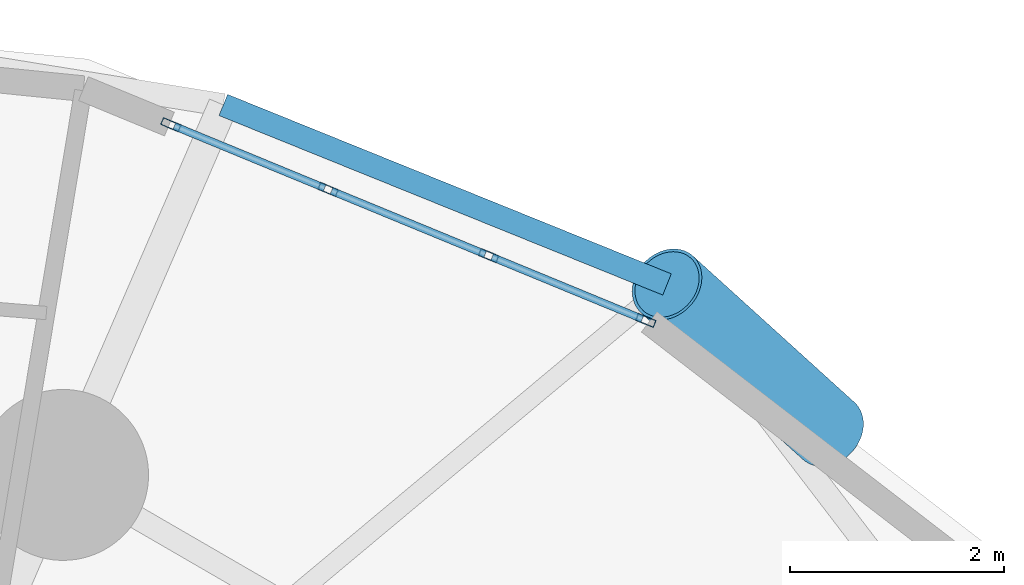
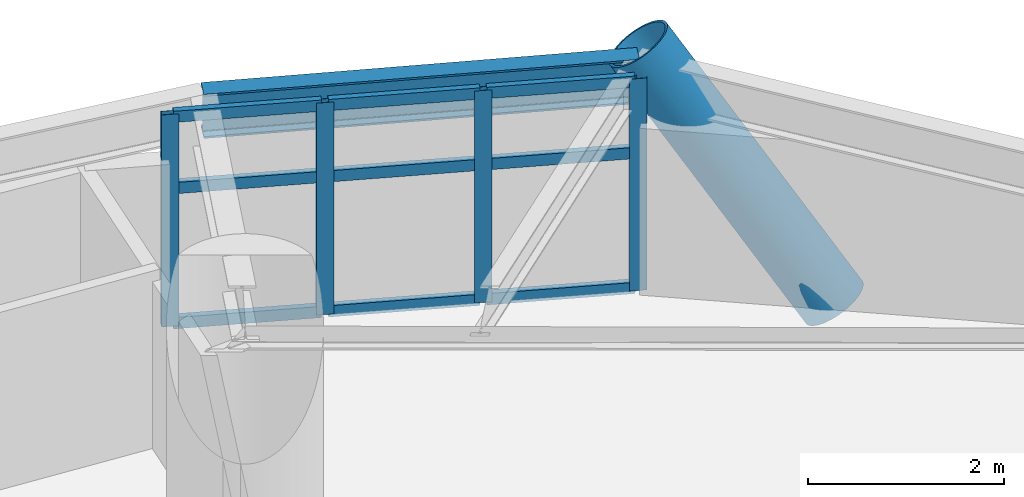
# One storey, part 7 of 18: 14 members, 1 beam, 1 element without a shape of its own.
"""IFC4 building model written with IfcOpenShell, lengths in metres."""

from ifc_helpers import new_model, si_unit, direction, frame, origin, origin_2d, place, context, subcontext, project, spatial, hollow_rectangle, hollow_circle, i_section, extrude, material, layer, layer_set, material_profile, profile_set, type_object, element, aggregate, save


model = new_model("IFC4")

# Units and contexts
model_context = context("Model", 3, precision=1e-05, world=origin(), true_north=direction((0.0, 1.0)))
body_context = subcontext(model_context, "Body", "Model", "MODEL_VIEW")
ifc_project = project(units=[si_unit("LENGTHUNIT", "METRE"), si_unit("AREAUNIT", "SQUARE_METRE"), si_unit("VOLUMEUNIT", "CUBIC_METRE"), si_unit("PLANEANGLEUNIT", "RADIAN"), si_unit("MASSUNIT", "GRAM", prefix="KILO")], contexts=[model_context])

# Site, building, storey
site_placement = place(None, origin())
site = spatial("IfcSite", under=ifc_project, at=site_placement, CompositionType="ELEMENT")
building_placement = place(site_placement, origin())
building = spatial("IfcBuilding", under=site, at=building_placement, Name="Cununo Teusaquillo Station Towers", CompositionType="ELEMENT")
storey_placement = place(building_placement, frame((0.0, 0.0, 45.280029296875)))
storey = spatial("IfcBuildingStorey", under=building, at=storey_placement, Name="L13", CompositionType="ELEMENT", Elevation=45.280029296875)

# Beam
ifc_material_1 = material(Name="Steel ASTM A572 Grade 50", Category="steel")
ifc_material_profile_1 = material_profile(ifc_material_1, i_section(OverallWidth=0.214111328125, OverallDepth=0.549072265625, WebThickness=0.0146484375, FlangeThickness=0.023681640625, FilletRadius=0.014892578125, at=origin_2d()), Name="W21X93")
ifc_profile_set_1 = profile_set([ifc_material_profile_1], Name="Steel ASTM A572 Grade 50")
beam_type = type_object("IfcBeamType", Name="BM-RING-Z1", PredefinedType="SPANDREL", material=ifc_profile_set_1)
beam_placement = place(storey_placement, frame((63.9443359375, 39.418212890625, 2.37548828125), z_axis=(-0.927072194447, 0.374882843411, 0.0), x_axis=(-0.374882843411, -0.927072194447, 0.0)))
element("IfcBeam", 1, at=beam_placement, inside=storey, type_object=beam_type, Name="L13 Tower B Spandrel Ring Beam 02", PredefinedType="SPANDREL", context=body_context, shape_type="SweptSolid", body=[
    extrude(i_section(OverallWidth=0.214111328125, OverallDepth=0.549072265625, WebThickness=0.0146484375, FlangeThickness=0.023681640625, FilletRadius=0.014892578125, at=origin_2d()), origin(), (0.0, 0.0, 1.0), 4.48046875),
])

# Curtain wall, members
ifc_material_2 = material(Name="Operable acoustic tinted low-E double glazing", Category="glass")
ifc_layer = layer(ifc_material_2, 0.179931640625)
ifc_layer_set = layer_set([ifc_layer], Name="Operable acoustic tinted low-E double glazing")
curtain_wall_type = type_object("IfcCurtainWallType", Name="CW-SYS-03", PredefinedType="USERDEFINED", material=ifc_layer_set)
curtain_wall_placement = place(storey_placement, origin())
curtain_wall = element("IfcCurtainWall", 2, at=curtain_wall_placement, inside=storey, type_object=curtain_wall_type, Name="L13 Tower B Facade Curtain Wall C01", ObjectType="OPERABLE GLAZING", PredefinedType="USERDEFINED")
ifc_material_3 = material(Name="Anodised dark bronze aluminium EN AW-6063-T6", Category="aluminium")
ifc_material_profile_2 = material_profile(ifc_material_3, hollow_rectangle(XDim=0.070068359375, YDim=0.179931640625, WallThickness=0.00390625, at=origin_2d()), Name="CW-MULL-70x180")
ifc_profile_set_2 = profile_set([ifc_material_profile_2], Name="Anodised dark bronze aluminium EN AW-6063-T6")
member_type_1 = type_object("IfcMemberType", Name="CWM-180", PredefinedType="MULLION", material=ifc_profile_set_2)
member_1_placement = place(storey_placement, frame((59.30029296875, 40.91357421875, 0.0), z_axis=(0.0, 0.0, 1.0), x_axis=(0.381054980568, 0.924552379146, 0.0)))
member_1 = element("IfcMember", 3, at=member_1_placement, type_object=member_type_1, Name="CW-03 mullion 1", PredefinedType="MULLION", context=body_context, shape_type="SweptSolid", body=[
    extrude(hollow_rectangle(XDim=0.070068359375, YDim=0.179931640625, WallThickness=0.00390625, at=origin_2d()), origin(), (0.0, 0.0, 1.0), 2.635009765625),
])
member_2_placement = place(storey_placement, frame((60.771240234375, 40.307373046875, 0.0), z_axis=(0.0, 0.0, 1.0), x_axis=(0.381054980568, 0.924552379146, 0.0)))
member_2 = element("IfcMember", 4, at=member_2_placement, type_object=member_type_1, Name="CW-03 mullion 2", PredefinedType="MULLION", context=body_context, shape_type="SweptSolid", body=[
    extrude(hollow_rectangle(XDim=0.070068359375, YDim=0.179931640625, WallThickness=0.00390625, at=origin_2d()), origin(), (0.0, 0.0, 1.0), 2.635009765625),
])
member_3_placement = place(storey_placement, frame((62.274658203125, 39.687744140625, 0.0), z_axis=(0.0, 0.0, 1.0), x_axis=(0.381054980568, 0.924552379146, 0.0)))
member_3 = element("IfcMember", 5, at=member_3_placement, type_object=member_type_1, Name="CW-03 mullion 3", PredefinedType="MULLION", context=body_context, shape_type="SweptSolid", body=[
    extrude(hollow_rectangle(XDim=0.070068359375, YDim=0.179931640625, WallThickness=0.00390625, at=origin_2d()), origin(), (0.0, 0.0, 1.0), 2.635009765625),
])
member_4_placement = place(storey_placement, frame((63.74560546875, 39.08154296875, 0.0), z_axis=(0.0, 0.0, 1.0), x_axis=(0.381054980568, 0.924552379146, 0.0)))
member_4 = element("IfcMember", 6, at=member_4_placement, type_object=member_type_1, Name="CW-03 mullion 4", PredefinedType="MULLION", context=body_context, shape_type="SweptSolid", body=[
    extrude(hollow_rectangle(XDim=0.070068359375, YDim=0.179931640625, WallThickness=0.00390625, at=origin_2d()), origin(), (0.0, 0.0, 1.0), 2.635009765625),
])
ifc_material_4 = material(Name="Anodised dark bronze aluminium EN AW-6063-T6", Category="aluminium")
ifc_material_profile_3 = material_profile(ifc_material_4, hollow_rectangle(XDim=0.070068359375, YDim=0.139892578125, WallThickness=0.00390625, at=origin_2d()), Name="CW-TRAN-70x140")
ifc_profile_set_3 = profile_set([ifc_material_profile_3], Name="Anodised dark bronze aluminium EN AW-6063-T6")
member_type_2 = type_object("IfcMemberType", Name="CWT-140", PredefinedType="USERDEFINED", material=ifc_profile_set_3)
member_5_placement = place(storey_placement, frame((59.33251953125, 40.900390625, 0.034912109375), z_axis=(0.924551727134, -0.381056562538, 0.0), x_axis=(0.381056562538, 0.924551727134, 0.0)))
member_5 = element("IfcMember", 7, at=member_5_placement, type_object=member_type_2, Name="CW-03 transom 1.1", ObjectType="TRANSOM", PredefinedType="USERDEFINED", context=body_context, shape_type="SweptSolid", body=[
    extrude(hollow_rectangle(XDim=0.070068359375, YDim=0.139892578125, WallThickness=0.00390625, at=origin_2d()), origin(), (0.0, 0.0, 1.0), 1.52099609375),
])
member_6_placement = place(storey_placement, frame((59.33251953125, 40.900390625, 1.712890625), z_axis=(0.924551727134, -0.381056562538, 0.0), x_axis=(0.381056562538, 0.924551727134, 0.0)))
member_6 = element("IfcMember", 8, at=member_6_placement, type_object=member_type_2, Name="CW-03 transom 1.2", ObjectType="TRANSOM", PredefinedType="USERDEFINED", context=body_context, shape_type="SweptSolid", body=[
    extrude(hollow_rectangle(XDim=0.070068359375, YDim=0.139892578125, WallThickness=0.00390625, at=origin_2d()), origin(), (0.0, 0.0, 1.0), 1.52099609375),
])
member_7_placement = place(storey_placement, frame((59.33251953125, 40.900390625, 2.599853515625), z_axis=(0.924551727134, -0.381056562538, 0.0), x_axis=(0.381056562538, 0.924551727134, 0.0)))
member_7 = element("IfcMember", 9, at=member_7_placement, type_object=member_type_2, Name="CW-03 transom 1.3", ObjectType="TRANSOM", PredefinedType="USERDEFINED", context=body_context, shape_type="SweptSolid", body=[
    extrude(hollow_rectangle(XDim=0.070068359375, YDim=0.139892578125, WallThickness=0.00390625, at=origin_2d()), origin(), (0.0, 0.0, 1.0), 1.52099609375),
])
member_8_placement = place(storey_placement, frame((60.8037109375, 40.2939453125, 0.034912109375), z_axis=(0.924574069504, -0.381002349076, 0.0), x_axis=(0.381002349076, 0.924574069504, 0.0)))
member_8 = element("IfcMember", 10, at=member_8_placement, type_object=member_type_2, Name="CW-03 transom 2.1", ObjectType="TRANSOM", PredefinedType="USERDEFINED", context=body_context, shape_type="SweptSolid", body=[
    extrude(hollow_rectangle(XDim=0.070068359375, YDim=0.139892578125, WallThickness=0.00390625, at=origin_2d()), origin(), (0.0, 0.0, 1.0), 1.555908203125),
])
member_9_placement = place(storey_placement, frame((60.8037109375, 40.2939453125, 1.712890625), z_axis=(0.924574069504, -0.381002349076, 0.0), x_axis=(0.381002349076, 0.924574069504, 0.0)))
member_9 = element("IfcMember", 11, at=member_9_placement, type_object=member_type_2, Name="CW-03 transom 2.2", ObjectType="TRANSOM", PredefinedType="USERDEFINED", context=body_context, shape_type="SweptSolid", body=[
    extrude(hollow_rectangle(XDim=0.070068359375, YDim=0.139892578125, WallThickness=0.00390625, at=origin_2d()), origin(), (0.0, 0.0, 1.0), 1.555908203125),
])
member_10_placement = place(storey_placement, frame((60.8037109375, 40.2939453125, 2.599853515625), z_axis=(0.924574069504, -0.381002349076, 0.0), x_axis=(0.381002349076, 0.924574069504, 0.0)))
member_10 = element("IfcMember", 12, at=member_10_placement, type_object=member_type_2, Name="CW-03 transom 2.3", ObjectType="TRANSOM", PredefinedType="USERDEFINED", context=body_context, shape_type="SweptSolid", body=[
    extrude(hollow_rectangle(XDim=0.070068359375, YDim=0.139892578125, WallThickness=0.00390625, at=origin_2d()), origin(), (0.0, 0.0, 1.0), 1.555908203125),
])
member_11_placement = place(storey_placement, frame((62.306884765625, 39.674560546875, 0.034912109375), z_axis=(0.924551727134, -0.381056562538, 0.0), x_axis=(0.381056562538, 0.924551727134, 0.0)))
member_11 = element("IfcMember", 13, at=member_11_placement, type_object=member_type_2, Name="CW-03 transom 3.1", ObjectType="TRANSOM", PredefinedType="USERDEFINED", context=body_context, shape_type="SweptSolid", body=[
    extrude(hollow_rectangle(XDim=0.070068359375, YDim=0.139892578125, WallThickness=0.00390625, at=origin_2d()), origin(), (0.0, 0.0, 1.0), 1.52099609375),
])
member_12_placement = place(storey_placement, frame((62.306884765625, 39.674560546875, 1.712890625), z_axis=(0.924551727134, -0.381056562538, 0.0), x_axis=(0.381056562538, 0.924551727134, 0.0)))
member_12 = element("IfcMember", 14, at=member_12_placement, type_object=member_type_2, Name="CW-03 transom 3.2", ObjectType="TRANSOM", PredefinedType="USERDEFINED", context=body_context, shape_type="SweptSolid", body=[
    extrude(hollow_rectangle(XDim=0.070068359375, YDim=0.139892578125, WallThickness=0.00390625, at=origin_2d()), origin(), (0.0, 0.0, 1.0), 1.52099609375),
])
member_13_placement = place(storey_placement, frame((62.306884765625, 39.674560546875, 2.599853515625), z_axis=(0.924551727134, -0.381056562538, 0.0), x_axis=(0.381056562538, 0.924551727134, 0.0)))
member_13 = element("IfcMember", 15, at=member_13_placement, type_object=member_type_2, Name="CW-03 transom 3.3", ObjectType="TRANSOM", PredefinedType="USERDEFINED", context=body_context, shape_type="SweptSolid", body=[
    extrude(hollow_rectangle(XDim=0.070068359375, YDim=0.139892578125, WallThickness=0.00390625, at=origin_2d()), origin(), (0.0, 0.0, 1.0), 1.52099609375),
])
aggregate(curtain_wall, [member_1, member_2, member_3, member_4, member_5, member_6, member_7, member_8, member_9, member_10, member_11, member_12, member_13])

# Member
ifc_material_5 = material(Name="Steel EN 10025-2 S355J2", Category="steel")
ifc_material_profile_4 = material_profile(ifc_material_5, hollow_circle(Radius=0.360107421875, WallThickness=0.028076171875, at=origin_2d()), Name="CHS 720x28")
ifc_profile_set_4 = profile_set([ifc_material_profile_4], Name="Steel EN 10025-2 S355J2")
member_type_3 = type_object("IfcMemberType", Name="MBR-DIAG-Z1", PredefinedType="BRACE", material=ifc_profile_set_4)
member_14_placement = place(storey_placement, frame((65.456787109375, 38.0478515625, -0.14013671875), z_axis=(-0.425504259628, 0.385529525309, 0.818726517314), x_axis=(-0.671439373369, -0.741059490116, 0.0)))
element("IfcMember", 16, at=member_14_placement, inside=storey, type_object=member_type_3, Name="L13 Tower B Folded-Zigzag Diagrid Tube C00", PredefinedType="BRACE", context=body_context, shape_type="SweptSolid", body=[
    extrude(hollow_circle(Radius=0.360107421875, WallThickness=0.028076171875, at=origin_2d()), origin(), (0.0, 0.0, 1.0), 3.554443359375),
])

save(model, "model.ifc")
